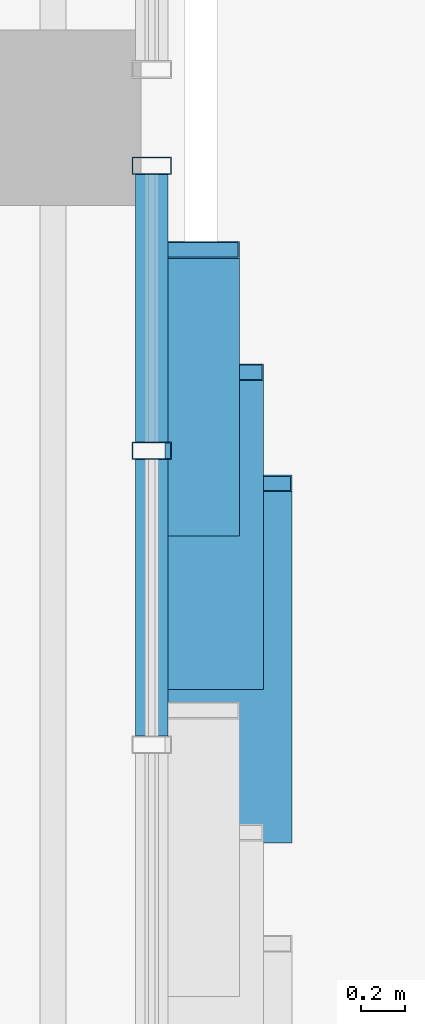
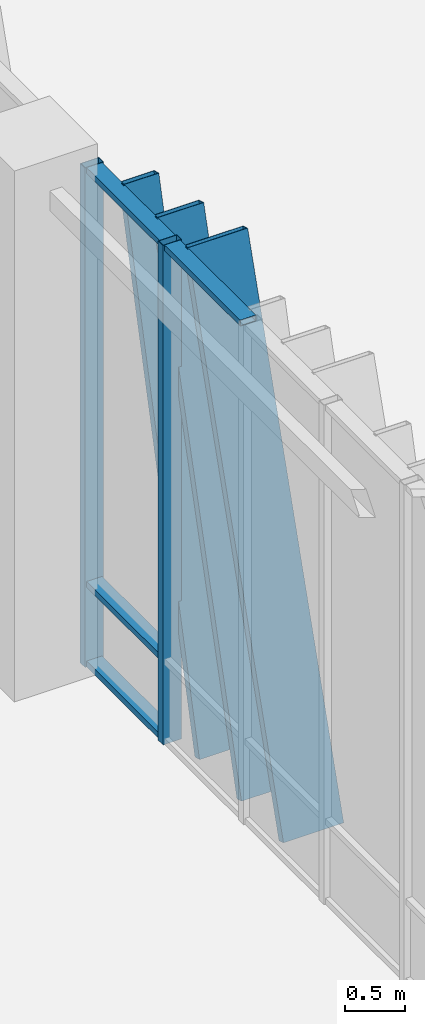
# One storey, part 56 of 122: 9 members, 1 element without a shape of its own.
"""IFC4 building model written with IfcOpenShell, lengths in metres."""

from ifc_helpers import new_model, si_unit, direction, frame, origin, origin_2d, place, context, subcontext, project, spatial, hollow_rectangle, extrude, material, layer, layer_set, material_profile, profile_set, type_object, element, aggregate, save


model = new_model("IFC4")

# Units and contexts
model_context = context("Model", 3, precision=1e-05, world=origin(), true_north=direction((0.0, 1.0)))
body_context = subcontext(model_context, "Body", "Model", "MODEL_VIEW")
ifc_project = project(units=[si_unit("LENGTHUNIT", "METRE"), si_unit("AREAUNIT", "SQUARE_METRE"), si_unit("VOLUMEUNIT", "CUBIC_METRE"), si_unit("PLANEANGLEUNIT", "RADIAN"), si_unit("MASSUNIT", "GRAM", prefix="KILO")], contexts=[model_context])

# Site, building, storey
site_placement = place(None, origin())
site = spatial("IfcSite", under=ifc_project, at=site_placement, CompositionType="ELEMENT")
building_placement = place(site_placement, origin())
building = spatial("IfcBuilding", under=site, at=building_placement, Name="Zayran Congress Hotel", CompositionType="ELEMENT")
storey_placement = place(building_placement, origin())
storey = spatial("IfcBuildingStorey", under=building, at=storey_placement, Name="L00", CompositionType="ELEMENT", Elevation=0.0)

# Curtain wall, members
ifc_material_1 = material(Name="Anodised aluminium and low-E insulated glass", Category="aluminium")
ifc_layer = layer(ifc_material_1, 0.179931640625)
ifc_layer_set = layer_set([ifc_layer], Name="Anodised aluminium and low-E insulated glass")
curtain_wall_type = type_object("IfcCurtainWallType", Name="CW-V1E-L00-CW-42-8040-5080", PredefinedType="USERDEFINED", material=ifc_layer_set)
curtain_wall_placement = place(storey_placement, origin())
curtain_wall = element("IfcCurtainWall", 1, at=curtain_wall_placement, inside=storey, type_object=curtain_wall_type, Name="CW-V1E-L00-3", ObjectType="CURTAIN WALL", PredefinedType="USERDEFINED")
ifc_material_2 = material(Name="Anodised aluminium framing", Category="aluminium")
ifc_material_profile_1 = material_profile(ifc_material_2, hollow_rectangle(XDim=0.080078125, YDim=0.179931640625, WallThickness=0.0048828125, at=origin_2d()), Name="RHS 180x80x5")
ifc_profile_set_1 = profile_set([ifc_material_profile_1], Name="Anodised aluminium framing")
member_type_1 = type_object("IfcMemberType", Name="TP-CWM-01", PredefinedType="MULLION", material=ifc_profile_set_1)
member_1_placement = place(storey_placement, frame((92.25, 99.679931640625, 0.0), z_axis=(0.0, 0.0, 1.0), x_axis=(0.0, 1.0, 0.0)))
member_1 = element("IfcMember", 2, at=member_1_placement, type_object=member_type_1, Name="CW-V1E-L00-3-M05", PredefinedType="MULLION", context=body_context, shape_type="SweptSolid", body=[
    extrude(hollow_rectangle(XDim=0.080078125, YDim=0.179931640625, WallThickness=0.0048828125, at=origin_2d()), origin(), (0.0, 0.0, 1.0), 5.080078125),
])
member_2_placement = place(storey_placement, frame((92.25, 100.97998046875, 0.0), z_axis=(0.0, 0.0, 1.0), x_axis=(0.0, 1.0, 0.0)))
member_2 = element("IfcMember", 3, at=member_2_placement, type_object=member_type_1, Name="CW-V1E-L00-3-M06", PredefinedType="MULLION", context=body_context, shape_type="SweptSolid", body=[
    extrude(hollow_rectangle(XDim=0.080078125, YDim=0.179931640625, WallThickness=0.0048828125, at=origin_2d()), origin(), (0.0, 0.0, 1.0), 5.080078125),
])
ifc_material_profile_2 = material_profile(ifc_material_2, hollow_rectangle(XDim=0.06005859375, YDim=0.14990234375, WallThickness=0.00390625, at=origin_2d()), Name="RHS 150x60x4")
ifc_profile_set_2 = profile_set([ifc_material_profile_2], Name="Anodised aluminium framing")
member_type_2 = type_object("IfcMemberType", Name="TP-CWT-01", PredefinedType="USERDEFINED", material=ifc_profile_set_2)
member_3_placement = place(storey_placement, frame((92.25, 98.3798828125, 5.050048828125), z_axis=(0.0, 1.0, 0.0), x_axis=(0.0, 0.0, 1.0)))
member_3 = element("IfcMember", 4, at=member_3_placement, type_object=member_type_2, Name="CW-V1E-L00-3-T04-2", ObjectType="TRANSOM", PredefinedType="USERDEFINED", context=body_context, shape_type="SweptSolid", body=[
    extrude(hollow_rectangle(XDim=0.06005859375, YDim=0.14990234375, WallThickness=0.00390625, at=origin_2d()), origin(), (0.0, 0.0, 1.0), 1.260009765625),
])
member_4_placement = place(storey_placement, frame((92.25, 99.719970703125, 0.030029296875), z_axis=(0.0, 1.0, 0.0), x_axis=(0.0, 0.0, 1.0)))
member_4 = element("IfcMember", 5, at=member_4_placement, type_object=member_type_2, Name="CW-V1E-L00-3-T05-0", ObjectType="TRANSOM", PredefinedType="USERDEFINED", context=body_context, shape_type="SweptSolid", body=[
    extrude(hollow_rectangle(XDim=0.06005859375, YDim=0.14990234375, WallThickness=0.00390625, at=origin_2d()), origin(), (0.0, 0.0, 1.0), 1.219970703125),
])
member_5_placement = place(storey_placement, frame((92.25, 99.719970703125, 0.840087890625), z_axis=(0.0, 1.0, 0.0), x_axis=(0.0, 0.0, 1.0)))
member_5 = element("IfcMember", 6, at=member_5_placement, type_object=member_type_2, Name="CW-V1E-L00-3-T05-1", ObjectType="TRANSOM", PredefinedType="USERDEFINED", context=body_context, shape_type="SweptSolid", body=[
    extrude(hollow_rectangle(XDim=0.06005859375, YDim=0.14990234375, WallThickness=0.00390625, at=origin_2d()), origin(), (0.0, 0.0, 1.0), 1.219970703125),
])
member_6_placement = place(storey_placement, frame((92.25, 99.719970703125, 5.050048828125), z_axis=(0.0, 1.0, 0.0), x_axis=(0.0, 0.0, 1.0)))
member_6 = element("IfcMember", 7, at=member_6_placement, type_object=member_type_2, Name="CW-V1E-L00-3-T05-2", ObjectType="TRANSOM", PredefinedType="USERDEFINED", context=body_context, shape_type="SweptSolid", body=[
    extrude(hollow_rectangle(XDim=0.06005859375, YDim=0.14990234375, WallThickness=0.00390625, at=origin_2d()), origin(), (0.0, 0.0, 1.0), 1.219970703125),
])
ifc_material_3 = material(Name="Warm bronze anodised aluminium", Category="aluminium")
ifc_material_profile_3 = material_profile(ifc_material_3, hollow_rectangle(XDim=0.080078125, YDim=0.580078125, WallThickness=0.006103515625, at=origin_2d()), Name="RHS 580x80x6")
ifc_profile_set_3 = profile_set([ifc_material_profile_3], Name="Warm bronze anodised aluminium")
member_type_3 = type_object("IfcMemberType", Name="TP-RFN-01", PredefinedType="MULLION", material=ifc_profile_set_3)
member_7_placement = place(storey_placement, frame((92.60009765625, 97.929931640625, 0.0), z_axis=(0.0, 0.300716755525, 0.953713496259), x_axis=(0.0, -0.953713496259, 0.300716755525)))
member_7 = element("IfcMember", 8, at=member_7_placement, type_object=member_type_3, Name="Slanting Reed Mullion CW-42-07", PredefinedType="MULLION", context=body_context, shape_type="SweptSolid", body=[
    extrude(hollow_rectangle(XDim=0.080078125, YDim=0.580078125, WallThickness=0.006103515625, at=origin_2d()), origin(), (0.0, 0.0, 1.0), 5.32666015625),
])
ifc_material_profile_4 = material_profile(ifc_material_3, hollow_rectangle(XDim=0.080078125, YDim=0.449951171875, WallThickness=0.006103515625, at=origin_2d()), Name="RHS 450x80x6")
ifc_profile_set_4 = profile_set([ifc_material_profile_4], Name="Warm bronze anodised aluminium")
member_type_4 = type_object("IfcMemberType", Name="TP-RFN-02", PredefinedType="MULLION", material=ifc_profile_set_4)
member_8_placement = place(storey_placement, frame((92.534912109375, 98.6298828125, 0.0), z_axis=(0.0, 0.267256905477, 0.96362531436), x_axis=(0.0, -0.96362531436, 0.267256905477)))
member_8 = element("IfcMember", 9, at=member_8_placement, type_object=member_type_4, Name="Slanting Reed Mullion CW-42-08", PredefinedType="MULLION", context=body_context, shape_type="SweptSolid", body=[
    extrude(hollow_rectangle(XDim=0.080078125, YDim=0.449951171875, WallThickness=0.006103515625, at=origin_2d()), origin(), (0.0, 0.0, 1.0), 5.271728515625),
])
ifc_material_profile_5 = material_profile(ifc_material_3, hollow_rectangle(XDim=0.080078125, YDim=0.340087890625, WallThickness=0.006103515625, at=origin_2d()), Name="RHS 340x80x6")
ifc_profile_set_5 = profile_set([ifc_material_profile_5], Name="Warm bronze anodised aluminium")
member_type_5 = type_object("IfcMemberType", Name="TP-RFN-03", PredefinedType="MULLION", material=ifc_profile_set_5)
member_9_placement = place(storey_placement, frame((92.47998046875, 99.330078125, 0.0), z_axis=(0.0, 0.241921145618, 0.970295913267), x_axis=(0.0, -0.970295913267, 0.241921145618)))
member_9 = element("IfcMember", 10, at=member_9_placement, type_object=member_type_5, Name="Slanting Reed Mullion CW-42-09", PredefinedType="MULLION", context=body_context, shape_type="SweptSolid", body=[
    extrude(hollow_rectangle(XDim=0.080078125, YDim=0.340087890625, WallThickness=0.006103515625, at=origin_2d()), origin(), (0.0, 0.0, 1.0), 5.235595703125),
])
aggregate(curtain_wall, [member_1, member_2, member_3, member_4, member_5, member_6, member_7, member_8, member_9])

save(model, "model.ifc")
